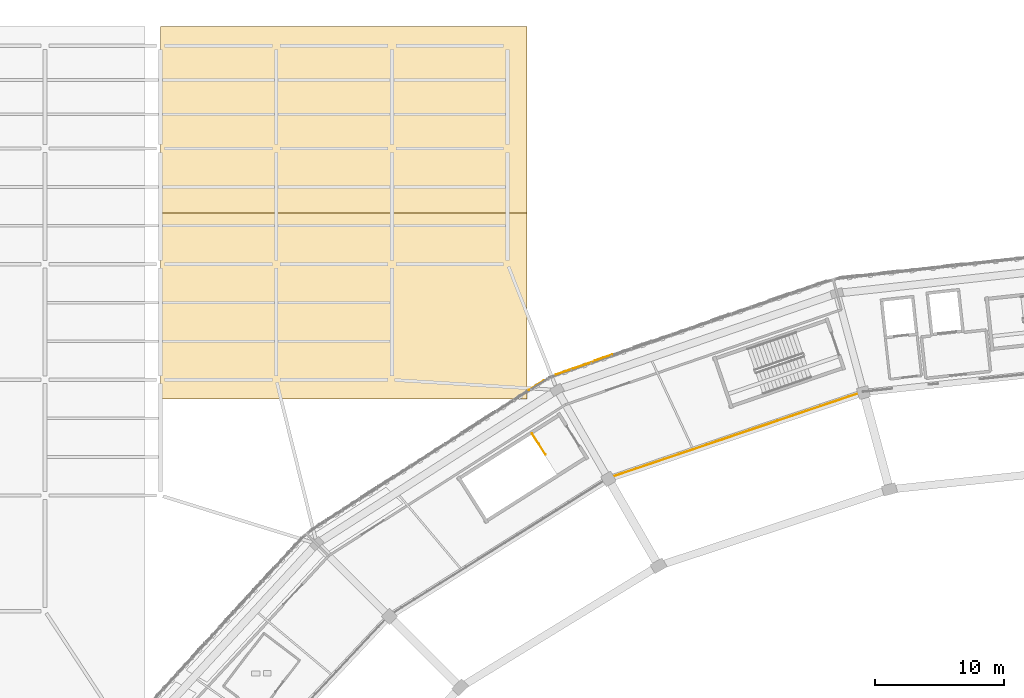
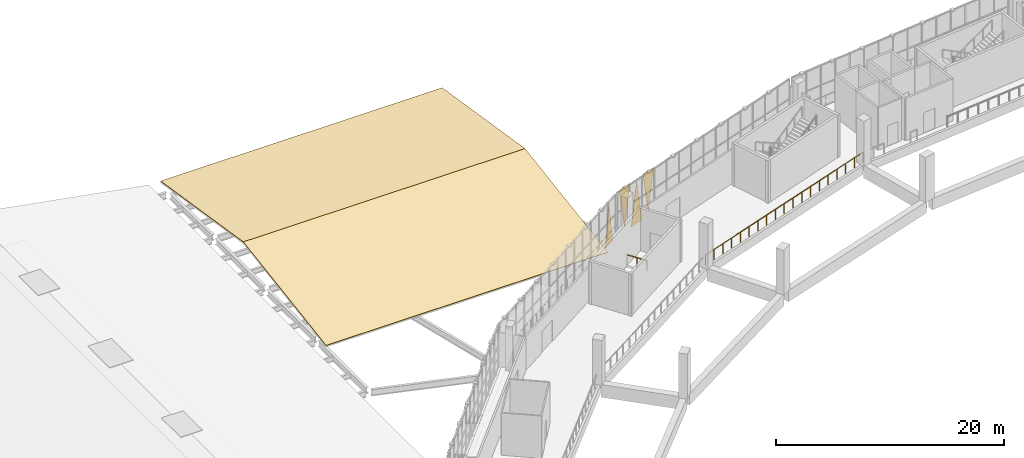
# One storey, part 99 of 108: 6 coverings, 2 railings.
"""IFC4 building model written with IfcOpenShell, lengths in metres."""

from ifc_helpers import new_model, si_unit, direction, frame, origin, origin_2d, place, context, subcontext, project, spatial, polyline, circle, outline, extrude, material, layer, layer_set, type_object, element, save


model = new_model("IFC4")

# Units and contexts
model_context = context("Model", 3, precision=1e-05, world=origin(), true_north=direction((0.0, 1.0)))
body_context = subcontext(model_context, "Body", "Model", "MODEL_VIEW")
ifc_project = project(units=[si_unit("LENGTHUNIT", "METRE"), si_unit("AREAUNIT", "SQUARE_METRE"), si_unit("VOLUMEUNIT", "CUBIC_METRE"), si_unit("PLANEANGLEUNIT", "RADIAN"), si_unit("MASSUNIT", "GRAM", prefix="KILO")], contexts=[model_context])

# Site, building, storey
site_placement = place(None, origin())
site = spatial("IfcSite", under=ifc_project, at=site_placement, CompositionType="ELEMENT")
building_placement = place(site_placement, origin())
building = spatial("IfcBuilding", under=site, at=building_placement, Name="Zevraka Park Crest Stadium", CompositionType="ELEMENT")
storey_placement = place(building_placement, frame((0.0, 0.0, 19.800048828125)))
storey = spatial("IfcBuildingStorey", under=building, at=storey_placement, Name="L04", CompositionType="ELEMENT", Elevation=19.800048828125)

# Coverings
ifc_material_1 = material(Name="Architectural golden-bronze perforated aluminium", Category="aluminium")
ifc_layer_1 = layer(ifc_material_1, 0.034912109375)
ifc_layer_set_1 = layer_set([ifc_layer_1], Name="Architectural golden-bronze perforated aluminium")
covering_type_1 = type_object("IfcCoveringType", Name="CLD01", PredefinedType="CLADDING", material=ifc_layer_set_1)
covering_1_placement = place(storey_placement, frame((69.781982421875, 159.47412109375, 4.52001953125), z_axis=(0.327569379882, -0.944827116883, 0.000143408419), x_axis=(0.944827126599, 0.327569383251, 0.0)))
element("IfcCovering", 1, at=covering_1_placement, inside=storey, type_object=covering_type_1, Name="Triangular Golden-Bronze Perforated Cladding L04-07-12", PredefinedType="CLADDING", context=body_context, shape_type="SweptSolid", body=[
    extrude(outline(polyline([(0.0, 0.0), (1.4436648075350447, -1.3552527156068805e-20), (0.7217478066252305, -4.300048872342348), (0.0, 0.0)])), origin(), (0.0, 0.0, -1.0), 0.034912109375),
])
covering_2_placement = place(storey_placement, frame((69.631103515625, 159.422119140625, -0.219970703125), z_axis=(-0.327511028362, 0.94484734756, 0.000126923676), x_axis=(-0.944847355171, -0.327511031, 0.0)))
element("IfcCovering", 2, at=covering_2_placement, inside=storey, type_object=covering_type_1, Name="Triangular Golden-Bronze Perforated Cladding L04-07-13", PredefinedType="CLADDING", context=body_context, shape_type="SweptSolid", body=[
    extrude(outline(polyline([(0.0, 0.0), (1.4446674660249328, 6.776263578034403e-21), (0.7221476370723403, 4.579834021264692), (0.0, 0.0)])), origin(), (0.0, 0.0, -1.0), 0.034912109375),
])
covering_3_placement = place(storey_placement, frame((66.7509765625, 158.424072265625, 4.52001953125), z_axis=(-0.327569382421, 0.944827124206, 7.1166524e-05), x_axis=(0.944827126599, 0.327569383251, 0.0)))
element("IfcCovering", 3, at=covering_3_placement, inside=storey, type_object=covering_type_1, Name="Triangular Golden-Bronze Perforated Cladding L04-07-14", PredefinedType="CLADDING", context=body_context, shape_type="SweptSolid", body=[
    extrude(outline(polyline([(0.0, 0.0), (1.4436648075350447, 0.0), (0.7220676986010613, 4.300048839014174), (0.0, 0.0)])), origin(), (0.0, 0.0, -1.0), 0.034912109375),
])
covering_4_placement = place(storey_placement, frame((65.803955078125, 157.965087890625, -0.219970703125), z_axis=(-0.539794336189, 0.84179691905, 0.00014729903), x_axis=(-0.841796928182, -0.539794342045, 0.0)))
element("IfcCovering", 4, at=covering_4_placement, inside=storey, type_object=covering_type_1, Name="Triangular Golden-Bronze Perforated Cladding L04-08-1", PredefinedType="CLADDING", context=body_context, shape_type="SweptSolid", body=[
    extrude(outline(polyline([(0.0, 0.0), (1.3839906318215187, 2.710505431213761e-20), (0.691847853710497, 4.579834034059339), (0.0, 0.0)])), origin(), (0.0, 0.0, -1.0), 0.034912109375),
])

# Railings
ifc_material_2 = material(Name="Galvanised and bronze-finished steel balustrade", Category="steel")
railing_type_1 = type_object("IfcRailingType", Name="GR01", PredefinedType="GUARDRAIL", material=ifc_material_2)
railing_1_placement = place(storey_placement, frame((90.669921875, 157.071044921875, 0.0)))
element("IfcRailing", 5, at=railing_1_placement, inside=storey, type_object=railing_type_1, Name="Deck Edge Protection Guardrail GR01 L04-46", PredefinedType="GUARDRAIL", context=body_context, shape_type="SweptSolid", body=[
    extrude(circle(Radius=0.02392578125, at=origin_2d()), frame((0.0, 0.0, 1.076171875), z_axis=(-0.947098868702, -0.320941946313, 0.0), x_axis=(0.320941946313, -0.947098868702, 0.0)), (0.0, 0.0, 1.0), 20.972412109375),
    extrude(circle(Radius=0.02099609375, at=origin_2d()), origin(), (0.0, 0.0, 1.0), 1.052001953125),
    extrude(circle(Radius=0.02099609375, at=origin_2d()), frame((-1.103515625, -0.3740234375, 0.0)), (0.0, 0.0, 1.0), 1.052001953125),
    extrude(circle(Radius=0.02099609375, at=origin_2d()), frame((-2.20703125, -0.747802734375, 0.0)), (0.0, 0.0, 1.0), 1.052001953125),
    extrude(circle(Radius=0.02099609375, at=origin_2d()), frame((-3.310546875, -1.121826171875, 0.0)), (0.0, 0.0, 1.0), 1.052001953125),
    extrude(circle(Radius=0.02099609375, at=origin_2d()), frame((-4.4140625, -1.495849609375, 0.0)), (0.0, 0.0, 1.0), 1.052001953125),
    extrude(circle(Radius=0.02099609375, at=origin_2d()), frame((-5.517578125, -1.86962890625, 0.0)), (0.0, 0.0, 1.0), 1.052001953125),
    extrude(circle(Radius=0.02099609375, at=origin_2d()), frame((-6.62109375, -2.24365234375, 0.0)), (0.0, 0.0, 1.0), 1.052001953125),
    extrude(circle(Radius=0.02099609375, at=origin_2d()), frame((-7.724609375, -2.61767578125, 0.0)), (0.0, 0.0, 1.0), 1.052001953125),
    extrude(circle(Radius=0.02099609375, at=origin_2d()), frame((-8.828125, -2.991455078125, 0.0)), (0.0, 0.0, 1.0), 1.052001953125),
    extrude(circle(Radius=0.02099609375, at=origin_2d()), frame((-9.931640625, -3.365478515625, 0.0)), (0.0, 0.0, 1.0), 1.052001953125),
    extrude(circle(Radius=0.02099609375, at=origin_2d()), frame((-11.034912109375, -3.739501953125, 0.0)), (0.0, 0.0, 1.0), 1.052001953125),
    extrude(circle(Radius=0.02099609375, at=origin_2d()), frame((-12.138427734375, -4.11328125, 0.0)), (0.0, 0.0, 1.0), 1.052001953125),
    extrude(circle(Radius=0.02099609375, at=origin_2d()), frame((-13.241943359375, -4.4873046875, 0.0)), (0.0, 0.0, 1.0), 1.052001953125),
    extrude(circle(Radius=0.02099609375, at=origin_2d()), frame((-14.345458984375, -4.861328125, 0.0)), (0.0, 0.0, 1.0), 1.052001953125),
    extrude(circle(Radius=0.02099609375, at=origin_2d()), frame((-15.448974609375, -5.235107421875, 0.0)), (0.0, 0.0, 1.0), 1.052001953125),
    extrude(circle(Radius=0.02099609375, at=origin_2d()), frame((-16.552490234375, -5.609130859375, 0.0)), (0.0, 0.0, 1.0), 1.052001953125),
    extrude(circle(Radius=0.02099609375, at=origin_2d()), frame((-17.656005859375, -5.983154296875, 0.0)), (0.0, 0.0, 1.0), 1.052001953125),
    extrude(circle(Radius=0.02099609375, at=origin_2d()), frame((-18.759521484375, -6.35693359375, 0.0)), (0.0, 0.0, 1.0), 1.052001953125),
    extrude(circle(Radius=0.02099609375, at=origin_2d()), frame((-19.863037109375, -6.73095703125, 0.0)), (0.0, 0.0, 1.0), 1.052001953125),
])
ifc_material_3 = material(Name="Powder-coated tubular steel stairwell guard", Category="steel")
railing_type_2 = type_object("IfcRailingType", Name="GR03", PredefinedType="GUARDRAIL", material=ifc_material_3)
railing_2_placement = place(storey_placement, frame((64.91015625, 153.82958984375, 0.0)))
element("IfcRailing", 6, at=railing_2_placement, inside=storey, type_object=railing_type_2, Name="L04 ST09 top well guard 1", PredefinedType="GUARDRAIL", context=body_context, shape_type="SweptSolid", body=[
    extrude(circle(Radius=0.02392578125, at=origin_2d()), frame((0.0, 0.0, 1.076171875), z_axis=(0.535730515973, -0.844389018317, 0.0), x_axis=(0.844389018317, 0.535730515973, 0.0)), (0.0, 0.0, 1.0), 1.9599609375),
    extrude(circle(Radius=0.02099609375, at=origin_2d()), origin(), (0.0, 0.0, 1.0), 1.052001953125),
    extrude(circle(Radius=0.02099609375, at=origin_2d()), frame((0.52490234375, -0.82763671875, 0.0)), (0.0, 0.0, 1.0), 1.052001953125),
    extrude(circle(Radius=0.02099609375, at=origin_2d()), frame((1.050048828125, -1.655029296875, 0.0)), (0.0, 0.0, 1.0), 1.052001953125),
])

# Coverings
ifc_material_4 = material(Name="Insulated standing-seam acoustic aluminium roofing", Category="aluminium")
ifc_layer_2 = layer(ifc_material_4, 0.06005859375)
ifc_layer_set_2 = layer_set([ifc_layer_2], Name="Insulated standing-seam acoustic aluminium roofing")
covering_type_2 = type_object("IfcCoveringType", Name="RCV01", PredefinedType="ROOFING", material=ifc_layer_set_2)
for number, where, z_axis, x_axis, name in (
    (7, (36.0, 156.5, -0.1201171875), (0.0, -0.155334761943, 0.987861888997), (1.0, 0.0, 0.0), "Pavilion Wide-Eave Standing-Seam Roofing NW-BAR-ROOF-S"),
    (8, (64.5, 185.5, -0.1201171875), (0.0, 0.155334761943, 0.987861888997), (-1.0, 0.0, 0.0), "Pavilion Wide-Eave Standing-Seam Roofing NW-BAR-ROOF-N"),
):
    element("IfcCovering", number, at=place(storey_placement, frame(where, z_axis=z_axis, x_axis=x_axis)), inside=storey, type_object=covering_type_2, Name=name, PredefinedType="ROOFING", context=body_context, shape_type="SweptSolid", body=[
        extrude(outline(polyline([(0.0, 0.0), (28.5, 0.0), (28.5, 14.67816519850517), (0.0, 14.67816519850517), (0.0, 0.0)])), origin(), (0.0, 0.0, -1.0), 0.06005859375),
    ])

save(model, "model.ifc")
